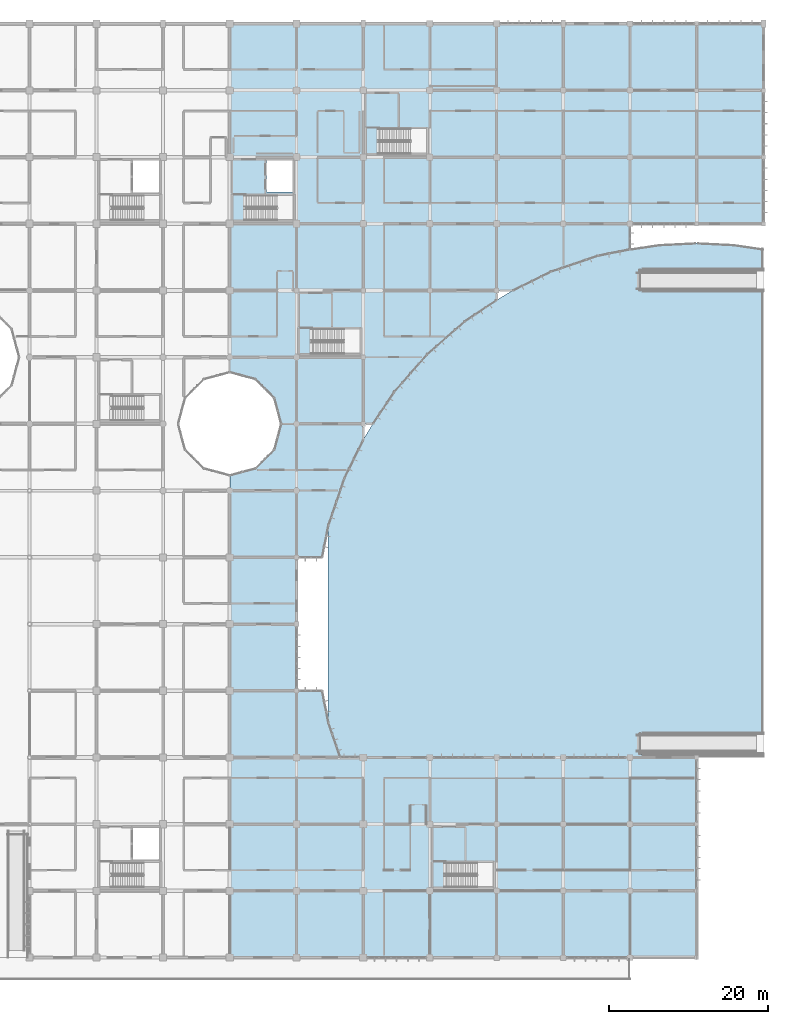
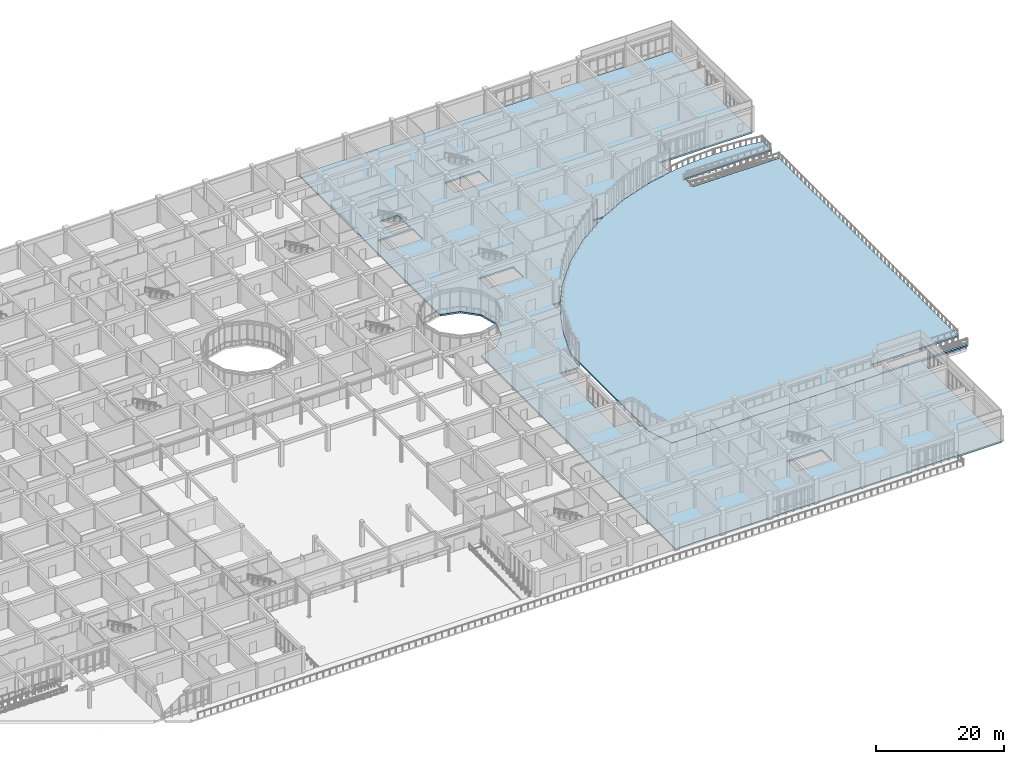
# One storey, part 79 of 138: 2 slabs.
"""IFC4 building model written with IfcOpenShell, lengths in metres."""

from ifc_helpers import new_model, si_unit, direction, frame, origin, place, context, subcontext, project, spatial, polyline, outline, extrude, material, layer, layer_set, type_object, element, save


model = new_model("IFC4")

# Units and contexts
model_context = context("Model", 3, precision=1e-05, world=origin(), true_north=direction((0.0, 1.0)))
body_context = subcontext(model_context, "Body", "Model", "MODEL_VIEW")
ifc_project = project(units=[si_unit("LENGTHUNIT", "METRE"), si_unit("AREAUNIT", "SQUARE_METRE"), si_unit("VOLUMEUNIT", "CUBIC_METRE"), si_unit("PLANEANGLEUNIT", "RADIAN"), si_unit("MASSUNIT", "GRAM", prefix="KILO")], contexts=[model_context])

# Site, building, storey
site_placement = place(None, origin())
site = spatial("IfcSite", under=ifc_project, at=site_placement, CompositionType="ELEMENT")
building_placement = place(site_placement, origin())
building = spatial("IfcBuilding", under=site, at=building_placement, Name="Bramfleet General Hospital", CompositionType="ELEMENT")
storey_placement = place(building_placement, origin())
storey = spatial("IfcBuildingStorey", under=building, at=storey_placement, Name="L00", CompositionType="ELEMENT", Elevation=0.0)

# Slabs
ifc_material = material(Name="Concrete C35/45", Category="concrete")
ifc_layer_1 = layer(ifc_material, 0.320068359375, Name="SL-FLR-320")
ifc_layer_set_1 = layer_set([ifc_layer_1], Name="Concrete C35/45")
slab_type_1 = type_object("IfcSlabType", Name="SL-FLR-320", PredefinedType="FLOOR", material=ifc_layer_set_1)
slab_1_placement = place(storey_placement, frame((0.0, 0.0, -0.320068359375)))
element("IfcSlab", 1, at=slab_1_placement, inside=storey, type_object=slab_type_1, Name="L00 Structural Floor Slab (EAST)", PredefinedType="FLOOR", context=body_context, shape_type="SweptSolid", body=[
    extrude(outline(polyline([(126.0, 117.60009765625), (134.39990234375, 117.60009765625), (142.800048828125, 117.60009765625), (151.199951171875, 117.60009765625), (159.60009765625, 117.60009765625), (168.0, 117.60009765625), (176.39990234375, 117.60009765625), (184.800048828125, 117.60009765625), (184.800048828125, 109.199951171875), (184.800048828125, 100.800048828125), (184.800048828125, 92.39990234375), (176.39990234375, 92.39990234375), (168.0, 92.39990234375), (168.0, 89.164794921875), (163.976806640625, 88.364501953125), (158.03125, 86.34619140625), (153.273681640625, 84.0), (151.199951171875, 84.0), (151.199951171875, 82.767333984375), (147.179443359375, 80.0810546875), (142.458984375, 75.941162109375), (138.319091796875, 71.220458984375), (135.632568359375, 67.199951171875), (134.39990234375, 67.199951171875), (134.39990234375, 65.12646484375), (132.0537109375, 60.368896484375), (130.03564453125, 54.42333984375), (129.2353515625, 50.39990234375), (126.0, 50.39990234375), (126.0, 42.0), (126.0, 33.60009765625), (129.2353515625, 33.60009765625), (130.03564453125, 29.57666015625), (131.521240234375, 25.199951171875), (176.39990234375, 25.199951171875), (176.39990234375, 16.800048828125), (176.39990234375, 8.39990234375), (176.39990234375, 0.0), (168.0, 0.0), (159.60009765625, 0.0), (151.199951171875, 0.0), (142.800048828125, 0.0), (134.39990234375, 0.0), (126.0, 0.0), (117.60009765625, 0.0), (117.60009765625, 60.800048828125), (120.800048828125, 61.657470703125), (123.142578125, 64.0), (124.0, 67.199951171875), (123.142578125, 70.39990234375), (120.800048828125, 72.74267578125), (117.60009765625, 73.60009765625), (117.60009765625, 117.60009765625), (126.0, 117.60009765625)]), holes=[polyline([(119.43994140625, 92.820068359375), (125.659912109375, 92.820068359375), (125.659912109375, 95.97998046875), (119.43994140625, 95.97998046875), (119.43994140625, 92.820068359375)]), polyline([(122.219970703125, 96.39990234375), (125.550048828125, 96.39990234375), (125.550048828125, 100.35009765625), (122.219970703125, 100.35009765625), (122.219970703125, 96.39990234375)]), polyline([(136.239990234375, 101.219970703125), (142.4599609375, 101.219970703125), (142.4599609375, 104.3798828125), (136.239990234375, 104.3798828125), (136.239990234375, 101.219970703125)]), polyline([(144.639892578125, 8.820068359375), (150.860107421875, 8.820068359375), (150.860107421875, 11.97998046875), (144.639892578125, 11.97998046875), (144.639892578125, 8.820068359375)]), polyline([(127.840087890625, 76.02001953125), (134.06005859375, 76.02001953125), (134.06005859375, 79.179931640625), (127.840087890625, 79.179931640625), (127.840087890625, 76.02001953125)])]), origin(), (0.0, 0.0, 1.0), 0.320068359375),
])
ifc_layer_2 = layer(ifc_material, 0.2900390625, Name="SL-TER-290")
ifc_layer_set_2 = layer_set([ifc_layer_2], Name="Concrete C35/45")
slab_type_2 = type_object("IfcSlabType", Name="SL-TER-290", PredefinedType="FLOOR", material=ifc_layer_set_2)
slab_2_placement = place(storey_placement, frame((0.0, 0.0, -0.2900390625)))
element("IfcSlab", 2, at=slab_2_placement, inside=storey, type_object=slab_type_2, Name="L00 Rear Therapeutic Garden Plinth Terrace", PredefinedType="FLOOR", context=body_context, shape_type="SweptSolid", body=[
    extrude(outline(polyline([(130.1982421875, 29.097412109375), (130.0, 29.88916015625), (130.0, 54.11083984375), (130.1982421875, 54.902587890625), (132.0537109375, 60.368896484375), (134.39990234375, 65.12646484375), (134.39990234375, 65.20068359375), (135.598388671875, 67.199951171875), (135.632568359375, 67.199951171875), (137.85009765625, 70.518798828125), (138.653076171875, 71.601318359375), (142.458984375, 75.941162109375), (146.798583984375, 79.746826171875), (147.881103515625, 80.5498046875), (151.199951171875, 82.767333984375), (151.199951171875, 82.8017578125), (153.19921875, 84.0), (153.273681640625, 84.0), (158.03125, 86.34619140625), (163.497314453125, 88.20166015625), (164.803466796875, 88.52880859375), (168.0, 89.164794921875), (168.0, 89.230712890625), (171.694091796875, 89.77880859375), (176.1962890625, 90.0), (176.603515625, 90.0), (181.105712890625, 89.77880859375), (184.800048828125, 89.230712890625), (184.800048828125, 86.60009765625), (169.199951171875, 86.60009765625), (169.199951171875, 84.0), (184.800048828125, 84.0), (184.800048828125, 28.199951171875), (169.199951171875, 28.199951171875), (169.199951171875, 25.60009765625), (184.800048828125, 25.60009765625), (184.800048828125, 25.199951171875), (176.39990234375, 25.199951171875), (131.521240234375, 25.199951171875), (130.1982421875, 29.097412109375)])), origin(), (0.0, 0.0, 1.0), 0.2900390625),
])

save(model, "model.ifc")
